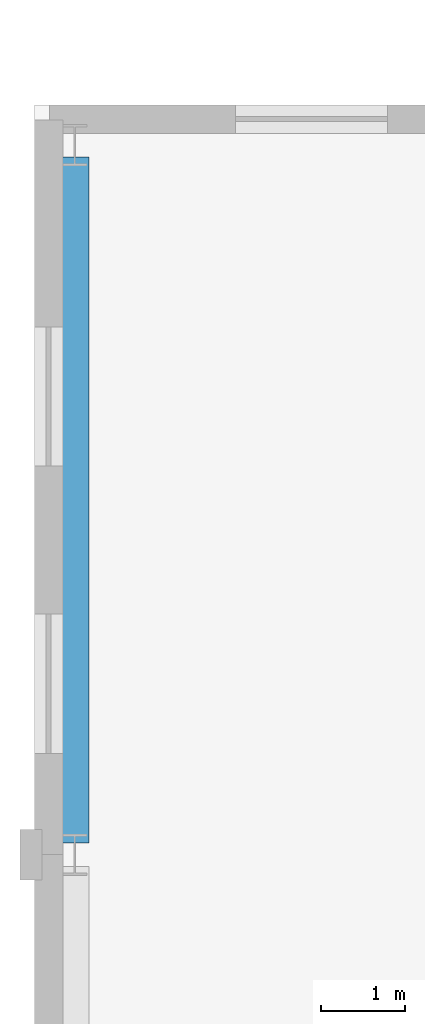
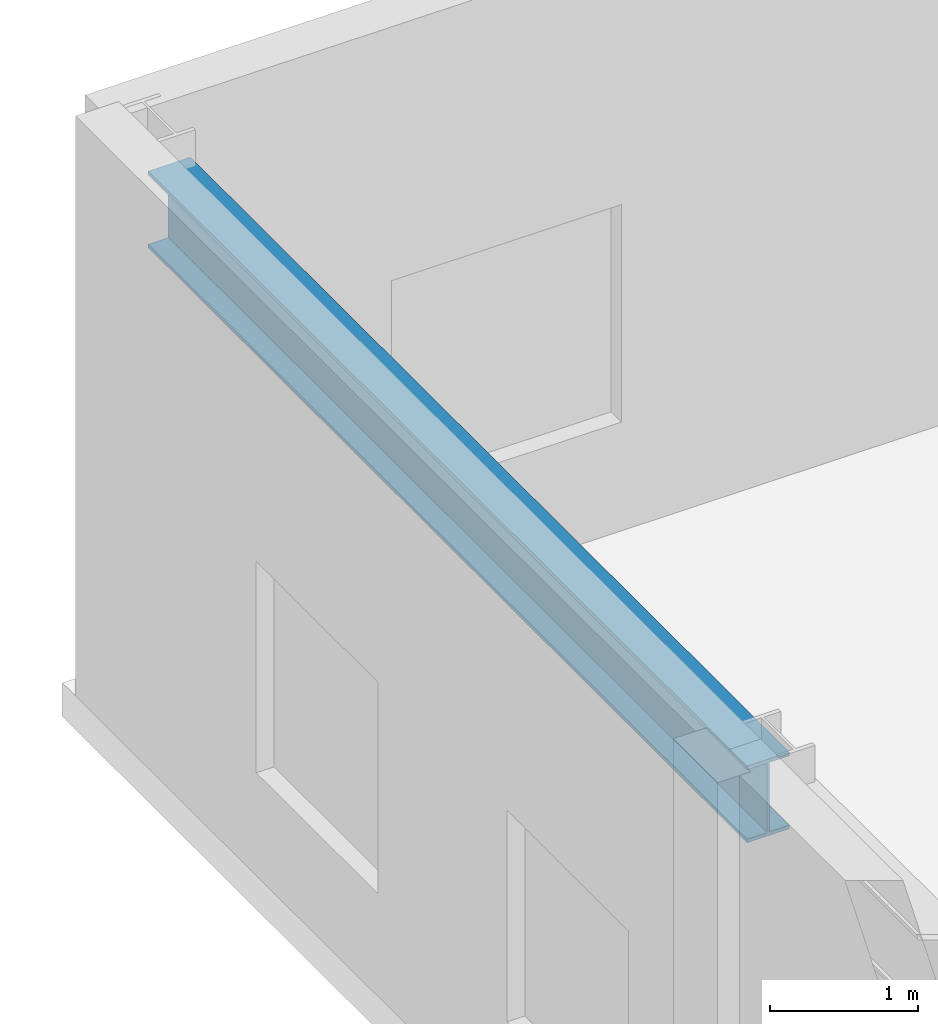
# One storey, part 24 of 91: 1 beam.
"""IFC4 building model written with IfcOpenShell, lengths in metres."""

import ifcopenshell
import ifcopenshell.guid

model = None  # the IFC model being written
_history = None  # IfcOwnerHistory: only IFC2X3 demands one
_inside = {}  # id of a spatial element -> (the spatial element, [elements in it])
_under = {}  # id of a project, library or spatial element -> (it, [spatial elements below it])
_declared = {}  # id of a project -> (the project, [libraries it declares])
_typed = {}  # id of a type object -> (the type object, [elements of that type])
_made_of = {}  # id of a material, layer set ... -> (it, [elements and type objects made of it])


def new_model(schema):
    """Start an empty IFC model of exactly this schema.

    Asked for "IFC4X3", IfcOpenShell would pick the latest addendum, in which some entities
    have other attributes; the version numbers below select the first issue.
    IFC2X3 requires an IfcOwnerHistory on every rooted entity: one is made here for all.
    """
    global model, _history
    if schema == "IFC4X3":
        model = ifcopenshell.file(schema_version=(4, 3, 0, 0))
    else:
        model = ifcopenshell.file(schema=schema)
    _inside.clear()
    _under.clear()
    _declared.clear()
    _typed.clear()
    _made_of.clear()
    _history = None
    if model.schema == "IFC2X3":
        org = make("IfcOrganization", Name="unknown")
        user = make(
            "IfcPersonAndOrganization",
            ThePerson=make("IfcPerson", FamilyName="unknown"),
            TheOrganization=org,
        )
        app = make(
            "IfcApplication",
            ApplicationDeveloper=org,
            Version="unknown",
            ApplicationFullName="unknown",
            ApplicationIdentifier="unknown",
        )
        _history = make(
            "IfcOwnerHistory",
            OwningUser=user,
            OwningApplication=app,
            ChangeAction="ADDED",
            CreationDate=0,
        )
    return model


def make(cls, **values):
    """One entity of the class cls with the attributes given. An attribute that is None is left unset."""
    return model.create_entity(
        cls, **{name: value for name, value in values.items() if value is not None}
    )


def rooted(cls, **values):
    """An entity with a GlobalId (a new one), such as an element, a storey or a relation."""
    return make(cls, GlobalId=ifcopenshell.guid.new(), OwnerHistory=_history, **values)


def si_unit(unit_type, name, prefix=None):
    """IfcSIUnit, for example si_unit("LENGTHUNIT", "METRE", prefix="MILLI")."""
    return make("IfcSIUnit", UnitType=unit_type, Prefix=prefix, Name=name)


def assignment(units):
    """IfcUnitAssignment: the units of a project."""
    return None if units is None else make("IfcUnitAssignment", Units=units)


def point(xyz):
    """IfcCartesianPoint."""
    return None if xyz is None else make("IfcCartesianPoint", Coordinates=xyz)


def direction(xyz):
    """IfcDirection."""
    return None if xyz is None else make("IfcDirection", DirectionRatios=xyz)


def frame(location, z_axis=None, x_axis=None):
    """IfcAxis2Placement3D, a coordinate frame: its origin and axes. An axis left out is left unset."""
    return make(
        "IfcAxis2Placement3D",
        Location=point(location),
        Axis=direction(z_axis),
        RefDirection=direction(x_axis),
    )


def frame_2d(location, x_axis=None):
    """IfcAxis2Placement2D, a coordinate frame in the plane: its origin and x axis."""
    return make(
        "IfcAxis2Placement2D", Location=point(location), RefDirection=direction(x_axis)
    )


def origin():
    """The frame at (0, 0, 0) with its axes left unset."""
    return frame((0.0, 0.0, 0.0))


def origin_2d():
    """The frame at (0, 0) in the plane with its x axis left unset."""
    return frame_2d((0.0, 0.0))


def place(relative_to, where):
    """IfcLocalPlacement: puts the frame where relative to a parent placement (None: the world)."""
    return make(
        "IfcLocalPlacement", PlacementRelTo=relative_to, RelativePlacement=where
    )


def context(
    kind, dimensions, precision=None, world=None, true_north=None, identifier=None
):
    """IfcGeometricRepresentationContext, for example the 3D "Model" context."""
    return make(
        "IfcGeometricRepresentationContext",
        ContextIdentifier=identifier,
        ContextType=kind,
        CoordinateSpaceDimension=dimensions,
        Precision=precision,
        WorldCoordinateSystem=world,
        TrueNorth=true_north,
    )


def subcontext(parent, identifier, kind, view, scale=None):
    """IfcGeometricRepresentationSubContext, for example "Body" below "Model"."""
    return make(
        "IfcGeometricRepresentationSubContext",
        ContextIdentifier=identifier,
        ContextType=kind,
        ParentContext=parent,
        TargetScale=scale,
        TargetView=view,
    )


def project(units=None, contexts=None):
    """IfcProject with its units and contexts."""
    return rooted(
        "IfcProject",
        Name="project",
        RepresentationContexts=contexts,
        UnitsInContext=assignment(units),
    )


def spatial(cls, under=None, at=None, **own):
    """A site, building, storey or space (cls), placed at a placement, below another one or the project."""
    s = rooted(cls, ObjectPlacement=at, **own)
    if under is not None:
        _under.setdefault(under.id(), (under, []))[1].append(s)
    return s


def profile(cls, at=None, kind="AREA", **sizes):
    """A parametric profile (cls). Its sizes go by their IFC names, for example OverallWidth=200.0."""
    return make(cls, ProfileType=kind, Position=at, **sizes)


def i_section(**sizes):
    """IfcIShapeProfileDef."""
    return profile("IfcIShapeProfileDef", **sizes)


def extrude(swept, where, along, depth):
    """IfcExtrudedAreaSolid: the profile swept, set in the frame where, extruded along a direction by depth."""
    return make(
        "IfcExtrudedAreaSolid",
        SweptArea=swept,
        Position=where,
        ExtrudedDirection=direction(along),
        Depth=depth,
    )


def shape(context_of_items, identifier, shape_type, items):
    """IfcShapeRepresentation: the items that make up one representation, for example the "Body"."""
    return make(
        "IfcShapeRepresentation",
        ContextOfItems=context_of_items,
        RepresentationIdentifier=identifier,
        RepresentationType=shape_type,
        Items=items,
    )


def material(Name=None, Category=None):
    """IfcMaterial."""
    return make("IfcMaterial", Name=Name, Category=Category)


def material_profile(
    of_material, cross_section, Name=None, Category=None, Priority=None
):
    """IfcMaterialProfile: a cross section and its material."""
    return make(
        "IfcMaterialProfile",
        Name=Name,
        Material=of_material,
        Profile=cross_section,
        Priority=Priority,
        Category=Category,
    )


def profile_set(profiles, Name=None, composite=None):
    """IfcMaterialProfileSet."""
    return make(
        "IfcMaterialProfileSet",
        Name=Name,
        MaterialProfiles=profiles,
        CompositeProfile=composite,
    )


def made_of(thing, what):
    """Note that an element or type object is made of a material, layer set ...; save() writes the relation."""
    if what is not None:
        _made_of.setdefault(what.id(), (what, []))[1].append(thing)
    return thing


def type_object(cls, material=None, **own):
    """A type object (cls), such as IfcWallType, which elements share."""
    return made_of(rooted(cls, **own), material)


def element(
    cls,
    number,
    at=None,
    inside=None,
    cuts=None,
    type_object=None,
    material=None,
    context=None,
    identifier="Body",
    shape_type=None,
    held_by="IfcProductDefinitionShape",
    body=None,
    shapes=None,
    **own,
):
    """One element of the class cls, such as IfcWall. Its Tag is "e" and its number.

    at: its placement. inside: the storey or other place that contains it. cuts: it is an
    opening in that element (IfcRelVoidsElement). A single representation is given by context,
    identifier, shape_type and body (its items); several are given by shapes. held_by: the class
    of the entity that holds the representations. save() writes the other relations.
    """
    e = rooted(cls, Tag="e%d" % number, ObjectPlacement=at, **own)
    if body is not None:
        shapes = [shape(context, identifier, shape_type, body)]
    if shapes is not None:
        e.Representation = make(held_by, Representations=shapes)
    if inside is not None:
        _inside.setdefault(inside.id(), (inside, []))[1].append(e)
    if cuts is not None:
        rooted(
            "IfcRelVoidsElement", RelatingBuildingElement=cuts, RelatedOpeningElement=e
        )
    if type_object is not None:
        _typed.setdefault(type_object.id(), (type_object, []))[1].append(e)
    return made_of(e, material)


def aggregate(whole, parts):
    """IfcRelAggregates: a whole, such as a stair, and the parts it consists of."""
    return rooted("IfcRelAggregates", RelatingObject=whole, RelatedObjects=parts)


def save(model, path):
    """Write the relations noted so far, then the file.

    IfcRelAggregates (storeys below a building ...), IfcRelContainedInSpatialStructure (elements
    in a storey), IfcRelDefinesByType, IfcRelAssociatesMaterial and IfcRelDeclares: one each for
    every whole, place, type object, material and project.
    """
    for whole, parts in _under.values():
        aggregate(whole, parts)
    for where, things in _inside.values():
        rooted(
            "IfcRelContainedInSpatialStructure",
            RelatedElements=things,
            RelatingStructure=where,
        )
    for kind, things in _typed.values():
        rooted("IfcRelDefinesByType", RelatedObjects=things, RelatingType=kind)
    for what, things in _made_of.values():
        rooted("IfcRelAssociatesMaterial", RelatedObjects=things, RelatingMaterial=what)
    for by, libraries in _declared.values():
        rooted("IfcRelDeclares", RelatingContext=by, RelatedDefinitions=libraries)
    model.write(path)


model = new_model("IFC4")

# Units and contexts
model_context = context("Model", 3, precision=1e-05, world=origin(), true_north=direction((0.0, 1.0)))
body_context = subcontext(model_context, "Body", "Model", "MODEL_VIEW")
ifc_project = project(units=[si_unit("LENGTHUNIT", "METRE"), si_unit("AREAUNIT", "SQUARE_METRE"), si_unit("VOLUMEUNIT", "CUBIC_METRE"), si_unit("PLANEANGLEUNIT", "RADIAN"), si_unit("MASSUNIT", "GRAM", prefix="KILO")], contexts=[model_context])

# Site, building, storey
site_placement = place(None, origin())
site = spatial("IfcSite", under=ifc_project, at=site_placement, CompositionType="ELEMENT")
building_placement = place(site_placement, origin())
building = spatial("IfcBuilding", under=site, at=building_placement, Name="Sollismere Congress Hotel", CompositionType="ELEMENT")
storey_placement = place(building_placement, frame((0.0, 0.0, 10.800048828125)))
storey = spatial("IfcBuildingStorey", under=building, at=storey_placement, Name="L02", CompositionType="ELEMENT", Elevation=10.800048828125)

# Beam
ifc_material = material(Name="Steel ASTM A992 Grade 50", Category="steel")
ifc_material_profile = material_profile(ifc_material, i_section(OverallWidth=0.330078125, OverallDepth=0.635009765625, WebThickness=0.017822265625, FlangeThickness=0.031005859375, at=origin_2d()), Name="W24X162")
ifc_profile_set = profile_set([ifc_material_profile], Name="Steel ASTM A992 Grade 50")
beam_type = type_object("IfcBeamType", Name="BM-SP24E", PredefinedType="SPANDREL", material=ifc_profile_set)
beam_placement = place(storey_placement, frame((0.0, 58.5400390625, 4.182373046875), z_axis=(0.0, 1.0, 0.0), x_axis=(-1.0, 0.0, 0.0)))
element("IfcBeam", 1, at=beam_placement, inside=storey, type_object=beam_type, Name="Beam BM-L02-2059", PredefinedType="SPANDREL", context=body_context, shape_type="SweptSolid", body=[
    extrude(i_section(OverallWidth=0.330078125, OverallDepth=0.635009765625, WebThickness=0.017822265625, FlangeThickness=0.031005859375, at=origin_2d()), origin(), (0.0, 0.0, 1.0), 8.119873046875),
])

save(model, "model.ifc")
